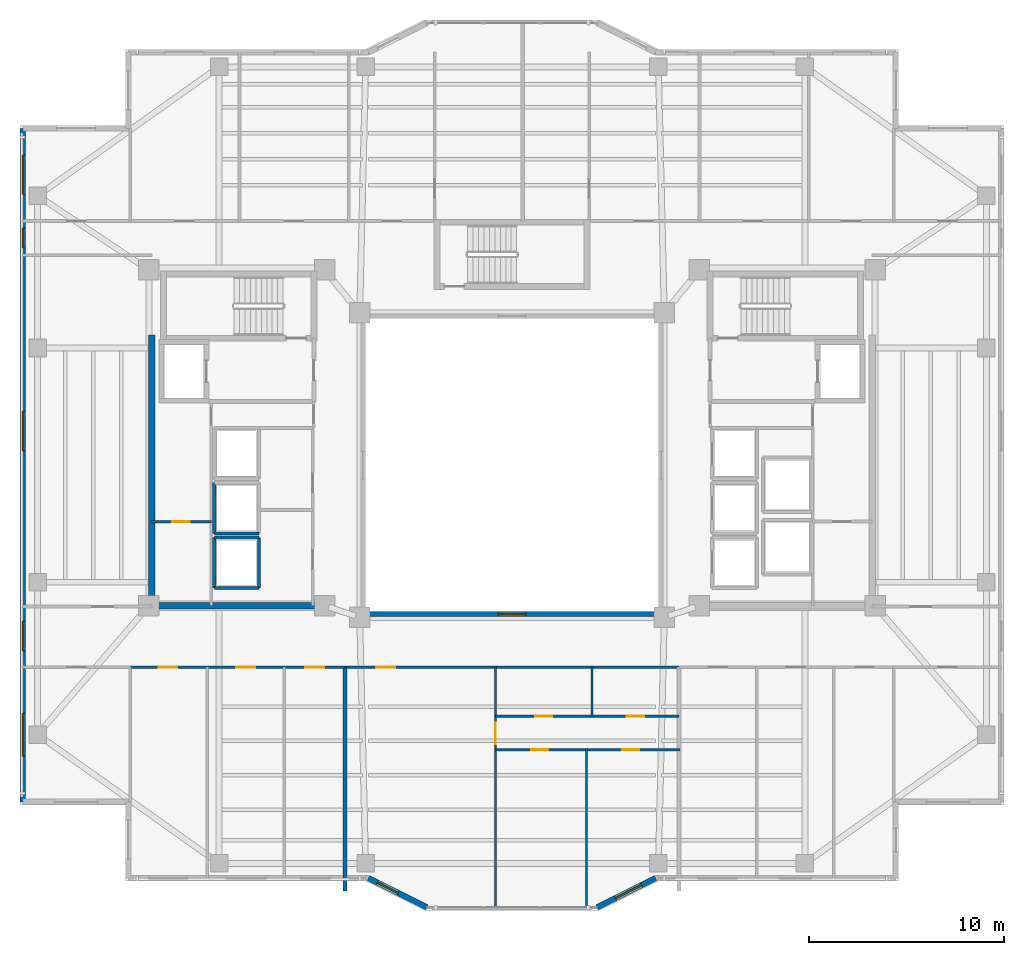
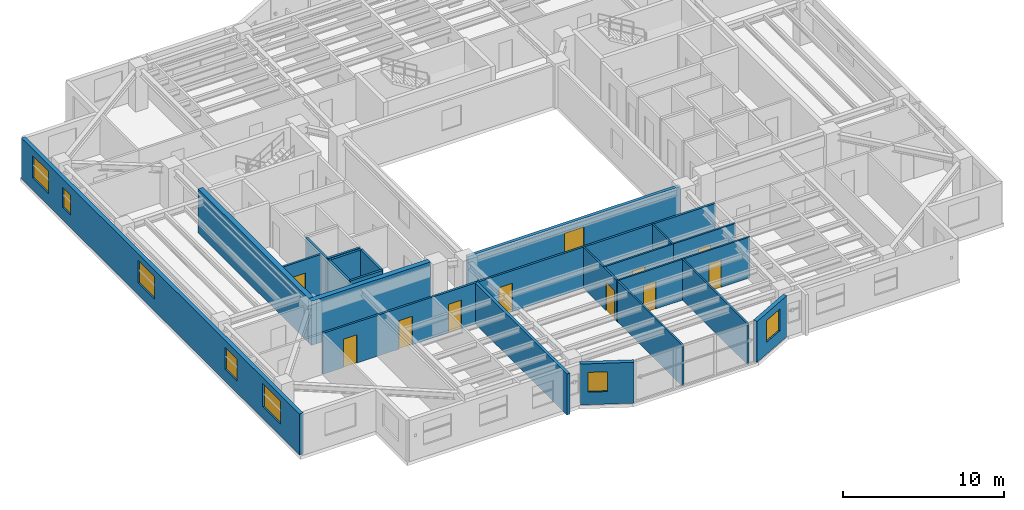
# One storey, part 6 of 15: 22 walls, 10 doors, 8 windows, 18 openings.
"""IFC4 building model written with IfcOpenShell, lengths in metres."""

from ifc_helpers import new_model, si_unit, direction, frame, frame_2d, origin, place, context, subcontext, project, spatial, rectangle, extrude, material, layer, layer_set, type_object, element, fill, save


model = new_model("IFC4")

# Units and contexts
model_context = context("Model", 3, precision=1e-05, world=origin(), true_north=direction((0.0, 1.0)))
body_context = subcontext(model_context, "Body", "Model", "MODEL_VIEW")
ifc_project = project(units=[si_unit("LENGTHUNIT", "METRE"), si_unit("AREAUNIT", "SQUARE_METRE"), si_unit("VOLUMEUNIT", "CUBIC_METRE"), si_unit("PLANEANGLEUNIT", "RADIAN"), si_unit("MASSUNIT", "GRAM", prefix="KILO")], contexts=[model_context])

# Site, building, storey
site_placement = place(None, origin())
site = spatial("IfcSite", under=ifc_project, at=site_placement, CompositionType="ELEMENT")
building_placement = place(site_placement, origin())
building = spatial("IfcBuilding", under=site, at=building_placement, Name="Tarnavaz Court Tower", CompositionType="ELEMENT")
storey_placement = place(building_placement, frame((0.0, 0.0, 139.300048828125)))
storey = spatial("IfcBuildingStorey", under=building, at=storey_placement, Name="L37", CompositionType="ELEMENT", Elevation=139.300048828125)

# Walls
ifc_material_1 = material(Name="Concrete C50/60", Category="concrete")
ifc_layer_1 = layer(ifc_material_1, 0.35009765625)
ifc_layer_set_1 = layer_set([ifc_layer_1], Name="Concrete C50/60")
wall_type_1 = type_object("IfcWallType", Name="WL-CORE-350-C50", PredefinedType="SHEAR", material=ifc_layer_set_1)
wall_1_placement = place(storey_placement, frame((-18.449951171875, -7.375, 0.0), z_axis=(0.0, 0.0, 1.0), x_axis=(0.0, 1.0, 0.0)))
element("IfcWall", 1, at=wall_1_placement, inside=storey, type_object=wall_type_1, Name="L37 West Core Shear Wall 057", PredefinedType="SHEAR", context=body_context, shape_type="SweptSolid", body=[
    extrude(rectangle(XDim=14.050048828125, YDim=0.35009765625, at=frame_2d((7.02490234375, 0.0))), origin(), (0.0, 0.0, 1.0), 3.349853515625),
])
wall_2_placement = place(storey_placement, frame((-18.625, -7.199951171875, 0.0), z_axis=(0.0, 0.0, 1.0), x_axis=(1.0, 0.0, 0.0)))
element("IfcWall", 2, at=wall_2_placement, inside=storey, type_object=wall_type_1, Name="L37 West Core South Shear Wall 058", PredefinedType="SHEAR", context=body_context, shape_type="SweptSolid", body=[
    extrude(rectangle(XDim=8.550048828125, YDim=0.35009765625, at=frame_2d((4.27490234375, 0.0))), origin(), (0.0, 0.0, 1.0), 3.349853515625),
])

# Wall, openings, windows
ifc_material_2 = material(Name="Precast Concrete C40/50", Category="concrete")
ifc_layer_2 = layer(ifc_material_2, 0.280029296875)
ifc_layer_set_2 = layer_set([ifc_layer_2], Name="Precast Concrete C40/50")
wall_type_2 = type_object("IfcWallType", Name="WL-EXT-280", PredefinedType="SOLIDWALL", material=ifc_layer_set_2)
wall_3_placement = place(storey_placement, frame((-25.050048828125, -17.25, 0.0), z_axis=(0.0, 0.0, 1.0), x_axis=(0.0, 1.0, 0.0)))
wall_3 = element("IfcWall", 3, at=wall_3_placement, inside=storey, type_object=wall_type_2, Name="L37 Exterior Terracotta Facade Wall 02", PredefinedType="SOLIDWALL", context=body_context, shape_type="SweptSolid", body=[
    extrude(rectangle(XDim=34.5, YDim=0.280029296875, at=frame_2d((17.25, 0.0))), origin(), (0.0, 0.0, 1.0), 3.099853515625),
])
opening_1_placement = place(wall_3_placement, frame((2.35009765625, 0.0, 0.89990234375)))
opening_1 = element("IfcOpeningElement", 4, at=opening_1_placement, cuts=wall_3, Name="Opening W07", PredefinedType="OPENING", context=body_context, shape_type="SweptSolid", body=[
    extrude(rectangle(XDim=2.199951171875, YDim=1.75, at=frame_2d((1.10009765625, 0.875))), frame((0.0, 0.14990234375, 0.0), z_axis=(0.0, -1.0, 0.0), x_axis=(1.0, 0.0, 0.0)), (0.0, 0.0, 1.0), 0.300048828125),
])
opening_2_placement = place(wall_3_placement, frame((7.742431640625, 0.0, 0.89990234375)))
opening_2 = element("IfcOpeningElement", 5, at=opening_2_placement, cuts=wall_3, Name="Opening W03", PredefinedType="OPENING", context=body_context, shape_type="SweptSolid", body=[
    extrude(rectangle(XDim=1.5, YDim=1.64990234375, at=frame_2d((0.75, 0.824951171875))), frame((0.0, 0.14990234375, 0.0), z_axis=(0.0, -1.0, 0.0), x_axis=(1.0, 0.0, 0.0)), (0.0, 0.0, 1.0), 0.300048828125),
])
opening_3_placement = place(wall_3_placement, frame((18.0, 0.0, 0.89990234375)))
opening_3 = element("IfcOpeningElement", 6, at=opening_3_placement, cuts=wall_3, Name="Opening W08", PredefinedType="OPENING", context=body_context, shape_type="SweptSolid", body=[
    extrude(rectangle(XDim=2.0, YDim=1.699951171875, at=frame_2d((1.0, 0.85009765625))), frame((0.0, 0.14990234375, 0.0), z_axis=(0.0, -1.0, 0.0), x_axis=(1.0, 0.0, 0.0)), (0.0, 0.0, 1.0), 0.300048828125),
])
opening_4_placement = place(wall_3_placement, frame((28.375, 0.0, 0.949951171875)))
opening_4 = element("IfcOpeningElement", 7, at=opening_4_placement, cuts=wall_3, Name="Opening W14", PredefinedType="OPENING", context=body_context, shape_type="SweptSolid", body=[
    extrude(rectangle(XDim=1.0, YDim=1.5, at=frame_2d((0.5, 0.75))), frame((0.0, 0.14990234375, 0.0), z_axis=(0.0, -1.0, 0.0), x_axis=(1.0, 0.0, 0.0)), (0.0, 0.0, 1.0), 0.300048828125),
])
opening_5_placement = place(wall_3_placement, frame((31.125, 0.0, 0.89990234375)))
opening_5 = element("IfcOpeningElement", 8, at=opening_5_placement, cuts=wall_3, Name="Opening W08", PredefinedType="OPENING", context=body_context, shape_type="SweptSolid", body=[
    extrude(rectangle(XDim=2.0, YDim=1.699951171875, at=frame_2d((1.0, 0.85009765625))), frame((0.0, 0.14990234375, 0.0), z_axis=(0.0, -1.0, 0.0), x_axis=(1.0, 0.0, 0.0)), (0.0, 0.0, 1.0), 0.300048828125),
])
ifc_material_3 = material(Name="Double-Glazed Solar Low-E Glass", Category="glass")
window_type_1 = type_object("IfcWindowType", Name="WN-APT-1000", PartitioningType="SINGLE_PANEL", PredefinedType="WINDOW", material=ifc_material_3)
window_1_placement = place(opening_4_placement, origin())
window_1 = element("IfcWindow", 9, at=window_1_placement, inside=storey, type_object=window_type_1, Name="L37 North-West Corner Corridor Window", OverallHeight=1.5, OverallWidth=1.0, PartitioningType="SINGLE_PANEL", PredefinedType="WINDOW", context=body_context, shape_type="SweptSolid", body=[
    extrude(rectangle(XDim=1.0, YDim=1.5, at=frame_2d((0.5, 0.75))), frame((0.0, 0.030029296875, 0.0), z_axis=(0.0, -1.0, 0.0), x_axis=(1.0, 0.0, 0.0)), (0.0, 0.0, 1.0), 0.06005859375),
])
fill(opening_4, window_1)
window_type_2 = type_object("IfcWindowType", Name="WN-APT-1500", PartitioningType="DOUBLE_PANEL_VERTICAL", PredefinedType="WINDOW", material=ifc_material_3)
window_2_placement = place(opening_2_placement, origin())
window_2 = element("IfcWindow", 10, at=window_2_placement, inside=storey, type_object=window_type_2, Name="L37 South-West Corner Corridor Window", OverallHeight=1.64990234375, OverallWidth=1.5, PartitioningType="SINGLE_PANEL", PredefinedType="WINDOW", context=body_context, shape_type="SweptSolid", body=[
    extrude(rectangle(XDim=1.5, YDim=1.64990234375, at=frame_2d((0.75, 0.824951171875))), frame((0.0, 0.030029296875, 0.0), z_axis=(0.0, -1.0, 0.0), x_axis=(1.0, 0.0, 0.0)), (0.0, 0.0, 1.0), 0.06005859375),
])
fill(opening_2, window_2)
window_type_3 = type_object("IfcWindowType", Name="WN-APT-2000", PartitioningType="DOUBLE_PANEL_VERTICAL", PredefinedType="WINDOW", material=ifc_material_3)
window_3_placement = place(opening_3_placement, origin())
window_3 = element("IfcWindow", 11, at=window_3_placement, inside=storey, type_object=window_type_3, Name="L37 West Wing Panoramic Study Gallery Window", OverallHeight=1.699951171875, OverallWidth=2.0, PartitioningType="SINGLE_PANEL", PredefinedType="WINDOW", context=body_context, shape_type="SweptSolid", body=[
    extrude(rectangle(XDim=2.0, YDim=1.699951171875, at=frame_2d((1.0, 0.85009765625))), frame((0.0, 0.030029296875, 0.0), z_axis=(0.0, -1.0, 0.0), x_axis=(1.0, 0.0, 0.0)), (0.0, 0.0, 1.0), 0.06005859375),
])
fill(opening_3, window_3)
window_4_placement = place(opening_5_placement, origin())
window_4 = element("IfcWindow", 12, at=window_4_placement, inside=storey, type_object=window_type_3, Name="L37 North-West Corner Sunroom Study Window", OverallHeight=1.699951171875, OverallWidth=2.0, PartitioningType="SINGLE_PANEL", PredefinedType="WINDOW", context=body_context, shape_type="SweptSolid", body=[
    extrude(rectangle(XDim=2.0, YDim=1.699951171875, at=frame_2d((1.0, 0.85009765625))), frame((0.0, 0.030029296875, 0.0), z_axis=(0.0, -1.0, 0.0), x_axis=(1.0, 0.0, 0.0)), (0.0, 0.0, 1.0), 0.06005859375),
])
fill(opening_5, window_4)
window_type_4 = type_object("IfcWindowType", Name="WN-APT-2200", PartitioningType="TRIPLE_PANEL_VERTICAL", PredefinedType="WINDOW", material=ifc_material_3)
window_5_placement = place(opening_1_placement, origin())
window_5 = element("IfcWindow", 13, at=window_5_placement, inside=storey, type_object=window_type_4, Name="L37 South-West Corner Reading Room Window", OverallHeight=1.75, OverallWidth=2.199951171875, PartitioningType="SINGLE_PANEL", PredefinedType="WINDOW", context=body_context, shape_type="SweptSolid", body=[
    extrude(rectangle(XDim=2.199951171875, YDim=1.75, at=frame_2d((1.10009765625, 0.875))), frame((0.0, 0.030029296875, 0.0), z_axis=(0.0, -1.0, 0.0), x_axis=(1.0, 0.0, 0.0)), (0.0, 0.0, 1.0), 0.06005859375),
])
fill(opening_1, window_5)

# Wall, opening, window
wall_4_placement = place(storey_placement, frame((7.35009765625, -21.14990234375, 0.0), z_axis=(0.0, 0.0, 1.0), x_axis=(-0.894427191, -0.4472135955, 0.0)))
wall_4 = element("IfcWall", 14, at=wall_4_placement, inside=storey, type_object=wall_type_2, Name="L37 Exterior Terracotta Facade Wall 16", PredefinedType="SOLIDWALL", context=body_context, shape_type="SweptSolid", body=[
    extrude(rectangle(XDim=3.35400390625, YDim=0.280029296875, at=frame_2d((1.677001953125, 0.0))), origin(), (0.0, 0.0, 1.0), 3.099853515625),
])
opening_6_placement = place(wall_4_placement, frame((0.796875, 0.0, 0.89990234375)))
opening_6 = element("IfcOpeningElement", 15, at=opening_6_placement, cuts=wall_4, Name="Opening W03", PredefinedType="OPENING", context=body_context, shape_type="SweptSolid", body=[
    extrude(rectangle(XDim=1.5, YDim=1.64990234375, at=frame_2d((0.75, 0.824951171875))), frame((0.0, 0.14990234375, 0.0), z_axis=(0.0, -1.0, 0.0), x_axis=(1.0, 0.0, 0.0)), (0.0, 0.0, 1.0), 0.300048828125),
])
window_6_placement = place(opening_6_placement, origin())
window_6 = element("IfcWindow", 16, at=window_6_placement, inside=storey, type_object=window_type_2, Name="L37 Flat 01 Bedroom 2 Window", OverallHeight=1.64990234375, OverallWidth=1.5, PartitioningType="SINGLE_PANEL", PredefinedType="WINDOW", context=body_context, shape_type="SweptSolid", body=[
    extrude(rectangle(XDim=1.5, YDim=1.64990234375, at=frame_2d((0.75, 0.824951171875))), frame((0.0, 0.030029296875, 0.0), z_axis=(0.0, -1.0, 0.0), x_axis=(1.0, 0.0, 0.0)), (0.0, 0.0, 1.0), 0.06005859375),
])
fill(opening_6, window_6)

wall_5_placement = place(storey_placement, frame((-4.35009765625, -22.64990234375, 0.0), z_axis=(0.0, 0.0, 1.0), x_axis=(-0.894427191, 0.4472135955, 0.0)))
wall_5 = element("IfcWall", 17, at=wall_5_placement, inside=storey, type_object=wall_type_2, Name="L37 Exterior Terracotta Facade Wall 18", PredefinedType="SOLIDWALL", context=body_context, shape_type="SweptSolid", body=[
    extrude(rectangle(XDim=3.35400390625, YDim=0.280029296875, at=frame_2d((1.677001953125, 0.0))), origin(), (0.0, 0.0, 1.0), 3.099853515625),
])
opening_7_placement = place(wall_5_placement, frame((1.65283203125, 0.0, 0.949951171875)))
opening_7 = element("IfcOpeningElement", 18, at=opening_7_placement, cuts=wall_5, Name="Opening W05", PredefinedType="OPENING", context=body_context, shape_type="SweptSolid", body=[
    extrude(rectangle(XDim=1.199951171875, YDim=1.5, at=frame_2d((0.60009765625, 0.75))), frame((0.0, 0.14990234375, 0.0), z_axis=(0.0, -1.0, 0.0), x_axis=(1.0, 0.0, 0.0)), (0.0, 0.0, 1.0), 0.300048828125),
])
window_type_5 = type_object("IfcWindowType", Name="WN-APT-1200", PartitioningType="SINGLE_PANEL", PredefinedType="WINDOW", material=ifc_material_3)
window_7_placement = place(opening_7_placement, origin())
window_7 = element("IfcWindow", 19, at=window_7_placement, inside=storey, type_object=window_type_5, Name="L37 Flat 01 Living and Dining Room Window", OverallHeight=1.5, OverallWidth=1.199951171875, PartitioningType="SINGLE_PANEL", PredefinedType="WINDOW", context=body_context, shape_type="SweptSolid", body=[
    extrude(rectangle(XDim=1.199951171875, YDim=1.5, at=frame_2d((0.60009765625, 0.75))), frame((0.0, 0.030029296875, 0.0), z_axis=(0.0, -1.0, 0.0), x_axis=(1.0, 0.0, 0.0)), (0.0, 0.0, 1.0), 0.06005859375),
])
fill(opening_7, window_7)

# Wall, openings, doors
ifc_material_4 = material(Name="Gypsum Fire-Board on Acoustic Metal Stud", Category="masonry")
ifc_layer_3 = layer(ifc_material_4, 0.14990234375)
ifc_layer_set_3 = layer_set([ifc_layer_3], Name="Gypsum Fire-Board on Acoustic Metal Stud")
wall_type_3 = type_object("IfcWallType", Name="WL-FIRE-150", PredefinedType="PARTITIONING", material=ifc_layer_set_3)
wall_6_placement = place(storey_placement, frame((-19.550048828125, -10.35009765625, 0.0), z_axis=(0.0, 0.0, 1.0), x_axis=(1.0, 0.0, 0.0)))
wall_6 = element("IfcWall", 20, at=wall_6_placement, inside=storey, type_object=wall_type_3, Name="L37 SW Horseshoe Wall 073", PredefinedType="PARTITIONING", context=body_context, shape_type="SweptSolid", body=[
    extrude(rectangle(XDim=11.0, YDim=0.14990234375, at=frame_2d((5.5, 0.0))), origin(), (0.0, 0.0, 1.0), 3.099853515625),
])
opening_8_placement = place(wall_6_placement, frame((1.466064453125, 0.0, 0.0)))
opening_8 = element("IfcOpeningElement", 21, at=opening_8_placement, cuts=wall_6, Name="Opening D13", PredefinedType="OPENING", context=body_context, shape_type="SweptSolid", body=[
    extrude(rectangle(XDim=0.949951171875, YDim=2.14990234375, at=frame_2d((0.47509765625, 1.074951171875))), frame((0.0, 0.0849609375, 0.0), z_axis=(0.0, -1.0, 0.0), x_axis=(1.0, 0.0, 0.0)), (0.0, 0.0, 1.0), 0.169921875),
])
opening_9_placement = place(wall_6_placement, frame((5.43798828125, 0.0, 0.0)))
opening_9 = element("IfcOpeningElement", 22, at=opening_9_placement, cuts=wall_6, Name="Opening D13", PredefinedType="OPENING", context=body_context, shape_type="SweptSolid", body=[
    extrude(rectangle(XDim=0.949951171875, YDim=2.14990234375, at=frame_2d((0.47509765625, 1.074951171875))), frame((0.0, 0.0849609375, 0.0), z_axis=(0.0, -1.0, 0.0), x_axis=(1.0, 0.0, 0.0)), (0.0, 0.0, 1.0), 0.169921875),
])
opening_10_placement = place(wall_6_placement, frame((8.971923828125, 0.0, 0.0)))
opening_10 = element("IfcOpeningElement", 23, at=opening_10_placement, cuts=wall_6, Name="Opening D13", PredefinedType="OPENING", context=body_context, shape_type="SweptSolid", body=[
    extrude(rectangle(XDim=0.949951171875, YDim=2.14990234375, at=frame_2d((0.47509765625, 1.074951171875))), frame((0.0, 0.0849609375, 0.0), z_axis=(0.0, -1.0, 0.0), x_axis=(1.0, 0.0, 0.0)), (0.0, 0.0, 1.0), 0.169921875),
])
ifc_material_5 = material(Name="Engineered Oak Timber", Category="wood")
door_type_1 = type_object("IfcDoorType", Name="DR-INT-950", OperationType="NOTDEFINED", PredefinedType="DOOR", material=ifc_material_5)
door_1_placement = place(opening_8_placement, origin())
door_1 = element("IfcDoor", 24, at=door_1_placement, inside=storey, type_object=door_type_1, Name="L37 Resident Fitness and Yoga Studio Door", OperationType="SINGLE_SWING_LEFT", OverallHeight=2.14990234375, OverallWidth=0.949951171875, PredefinedType="DOOR", context=body_context, shape_type="SweptSolid", body=[
    extrude(rectangle(XDim=0.949951171875, YDim=2.14990234375, at=frame_2d((0.47509765625, 1.074951171875))), frame((0.0, 0.02490234375, 0.0), z_axis=(0.0, -1.0, 0.0), x_axis=(1.0, 0.0, 0.0)), (0.0, 0.0, 1.0), 0.050048828125),
])
fill(opening_8, door_1)
door_2_placement = place(opening_9_placement, origin())
door_2 = element("IfcDoor", 25, at=door_2_placement, inside=storey, type_object=door_type_1, Name="L37 Children Playroom and Daycare Door", OperationType="SINGLE_SWING_RIGHT", OverallHeight=2.14990234375, OverallWidth=0.949951171875, PredefinedType="DOOR", context=body_context, shape_type="SweptSolid", body=[
    extrude(rectangle(XDim=0.949951171875, YDim=2.14990234375, at=frame_2d((0.47509765625, 1.074951171875))), frame((0.0, 0.02490234375, 0.0), z_axis=(0.0, -1.0, 0.0), x_axis=(1.0, 0.0, 0.0)), (0.0, 0.0, 1.0), 0.050048828125),
])
fill(opening_9, door_2)
door_3_placement = place(opening_10_placement, origin())
door_3 = element("IfcDoor", 26, at=door_3_placement, inside=storey, type_object=door_type_1, Name="L37 Shared Community Tea Pantry Door", OperationType="SINGLE_SWING_LEFT", OverallHeight=2.14990234375, OverallWidth=0.949951171875, PredefinedType="DOOR", context=body_context, shape_type="SweptSolid", body=[
    extrude(rectangle(XDim=0.949951171875, YDim=2.14990234375, at=frame_2d((0.47509765625, 1.074951171875))), frame((0.0, 0.02490234375, 0.0), z_axis=(0.0, -1.0, 0.0), x_axis=(1.0, 0.0, 0.0)), (0.0, 0.0, 1.0), 0.050048828125),
])
fill(opening_10, door_3)

# Wall, opening, door
wall_7_placement = place(storey_placement, frame((-8.550048828125, -10.35009765625, 0.0), z_axis=(0.0, 0.0, 1.0), x_axis=(1.0, 0.0, 0.0)))
wall_7 = element("IfcWall", 27, at=wall_7_placement, inside=storey, type_object=wall_type_3, Name="L37 Interior Partition 088", PredefinedType="PARTITIONING", context=body_context, shape_type="SweptSolid", body=[
    extrude(rectangle(XDim=17.10009765625, YDim=0.14990234375, at=frame_2d((8.550048828125, 0.0))), origin(), (0.0, 0.0, 1.0), 3.099853515625),
])
opening_11_placement = place(wall_7_placement, frame((1.60009765625, 0.0, 0.0)))
opening_11 = element("IfcOpeningElement", 28, at=opening_11_placement, cuts=wall_7, Name="Opening D06", PredefinedType="OPENING", context=body_context, shape_type="SweptSolid", body=[
    extrude(rectangle(XDim=0.9599609375, YDim=2.14990234375, at=frame_2d((0.47998046875, 1.074951171875))), frame((0.0, 0.0849609375, 0.0), z_axis=(0.0, -1.0, 0.0), x_axis=(1.0, 0.0, 0.0)), (0.0, 0.0, 1.0), 0.169921875),
])
ifc_material_6 = material(Name="Fire-Rated Hardwood Timber Core", Category="wood")
door_type_2 = type_object("IfcDoorType", Name="DR-FD60-950", OperationType="NOTDEFINED", PredefinedType="DOOR", material=ifc_material_6)
door_4_placement = place(opening_11_placement, origin())
door_4 = element("IfcDoor", 29, at=door_4_placement, inside=storey, type_object=door_type_2, Name="L37 Flat 01 Entrance Door", OperationType="SINGLE_SWING_LEFT", OverallHeight=2.14990234375, OverallWidth=0.9599609375, PredefinedType="DOOR", context=body_context, shape_type="SweptSolid", body=[
    extrude(rectangle(XDim=0.9599609375, YDim=2.14990234375, at=frame_2d((0.47998046875, 1.074951171875))), frame((0.0, 0.02490234375, 0.0), z_axis=(0.0, -1.0, 0.0), x_axis=(1.0, 0.0, 0.0)), (0.0, 0.0, 1.0), 0.050048828125),
])
fill(opening_11, door_4)

# Wall
ifc_material_7 = material(Name="Autoclaved Aerated Concrete Blockwork", Category="masonry")
ifc_layer_4 = layer(ifc_material_7, 0.199951171875)
ifc_layer_set_4 = layer_set([ifc_layer_4], Name="Autoclaved Aerated Concrete Blockwork")
wall_type_4 = type_object("IfcWallType", Name="WL-FIRE-200", PredefinedType="SOLIDWALL", material=ifc_layer_set_4)
wall_8_placement = place(storey_placement, frame((-8.550048828125, -21.803955078125, 0.0), z_axis=(0.0, 0.0, 1.0), x_axis=(0.0, 1.0, 0.0)))
element("IfcWall", 30, at=wall_8_placement, inside=storey, type_object=wall_type_4, Name="L37 Party Wall 086", PredefinedType="SOLIDWALL", context=body_context, shape_type="SweptSolid", body=[
    extrude(rectangle(XDim=11.453857421875, YDim=0.199951171875, at=frame_2d((5.72705078125, 0.0))), origin(), (0.0, 0.0, 1.0), 3.099853515625),
])

# Wall, opening, door
ifc_material_8 = material(Name="Moisture-Resistant Gypsum Board Partition", Category="masonry")
ifc_layer_5 = layer(ifc_material_8, 0.1201171875)
ifc_layer_set_5 = layer_set([ifc_layer_5], Name="Moisture-Resistant Gypsum Board Partition")
wall_type_5 = type_object("IfcWallType", Name="WL-PART-120", PredefinedType="PARTITIONING", material=ifc_layer_set_5)
wall_9_placement = place(storey_placement, frame((-0.844970703125, -22.679931640625, 0.0), z_axis=(0.0, 0.0, 1.0), x_axis=(0.0, 1.0, 0.0)))
wall_9 = element("IfcWall", 31, at=wall_9_placement, inside=storey, type_object=wall_type_5, Name="L37 Interior Partition 089", PredefinedType="PARTITIONING", context=body_context, shape_type="SweptSolid", body=[
    extrude(rectangle(XDim=12.389892578125, YDim=0.1201171875, at=frame_2d((6.19482421875, 0.0))), origin(), (0.0, 0.0, 1.0), 3.099853515625),
])
opening_12_placement = place(wall_9_placement, frame((8.39501953125, 0.0, 0.0)))
opening_12 = element("IfcOpeningElement", 32, at=opening_12_placement, cuts=wall_9, Name="Opening D12", PredefinedType="OPENING", context=body_context, shape_type="SweptSolid", body=[
    extrude(rectangle(XDim=1.080078125, YDim=2.14990234375, at=frame_2d((0.5400390625, 1.074951171875))), frame((0.0, 0.070068359375, 0.0), z_axis=(0.0, -1.0, 0.0), x_axis=(1.0, 0.0, 0.0)), (0.0, 0.0, 1.0), 0.14013671875),
])
door_type_3 = type_object("IfcDoorType", Name="DR-INT-1100", OperationType="NOTDEFINED", PredefinedType="DOOR", material=ifc_material_5)
door_5_placement = place(opening_12_placement, origin())
door_5 = element("IfcDoor", 33, at=door_5_placement, inside=storey, type_object=door_type_3, Name="L37 Flat 01 Foyer Door", OperationType="SINGLE_SWING_RIGHT", OverallHeight=2.14990234375, OverallWidth=1.080078125, PredefinedType="DOOR", context=body_context, shape_type="SweptSolid", body=[
    extrude(rectangle(XDim=1.080078125, YDim=2.14990234375, at=frame_2d((0.5400390625, 1.074951171875))), frame((0.0, 0.02490234375, 0.0), z_axis=(0.0, -1.0, 0.0), x_axis=(1.0, 0.0, 0.0)), (0.0, 0.0, 1.0), 0.050048828125),
])
fill(opening_12, door_5)

wall_10_placement = place(storey_placement, frame((-0.844970703125, -12.860107421875, 0.0), z_axis=(0.0, 0.0, 1.0), x_axis=(1.0, 0.0, 0.0)))
wall_10 = element("IfcWall", 34, at=wall_10_placement, inside=storey, type_object=wall_type_5, Name="L37 Interior Partition 090", PredefinedType="PARTITIONING", context=body_context, shape_type="SweptSolid", body=[
    extrude(rectangle(XDim=4.94189453125, YDim=0.1201171875, at=frame_2d((2.470947265625, 0.0))), origin(), (0.0, 0.0, 1.0), 3.099853515625),
])
opening_13_placement = place(wall_10_placement, frame((2.031005859375, 0.0, 0.0)))
opening_13 = element("IfcOpeningElement", 35, at=opening_13_placement, cuts=wall_10, Name="Opening D14", PredefinedType="OPENING", context=body_context, shape_type="SweptSolid", body=[
    extrude(rectangle(XDim=0.8798828125, YDim=2.10009765625, at=frame_2d((0.43994140625, 1.050048828125))), frame((0.0, 0.070068359375, 0.0), z_axis=(0.0, -1.0, 0.0), x_axis=(1.0, 0.0, 0.0)), (0.0, 0.0, 1.0), 0.14013671875),
])
door_type_4 = type_object("IfcDoorType", Name="DR-INT-900", OperationType="NOTDEFINED", PredefinedType="DOOR", material=ifc_material_5)
door_6_placement = place(opening_13_placement, origin())
door_6 = element("IfcDoor", 36, at=door_6_placement, inside=storey, type_object=door_type_4, Name="L37 Flat 01 Kitchen Door", OperationType="SINGLE_SWING_LEFT", OverallHeight=2.10009765625, OverallWidth=0.8798828125, PredefinedType="DOOR", context=body_context, shape_type="SweptSolid", body=[
    extrude(rectangle(XDim=0.8798828125, YDim=2.10009765625, at=frame_2d((0.43994140625, 1.050048828125))), frame((0.0, 0.02490234375, 0.0), z_axis=(0.0, -1.0, 0.0), x_axis=(1.0, 0.0, 0.0)), (0.0, 0.0, 1.0), 0.050048828125),
])
fill(opening_13, door_6)

wall_11_placement = place(storey_placement, frame((4.096923828125, -12.860107421875, 0.0), z_axis=(0.0, 0.0, 1.0), x_axis=(1.0, 0.0, 0.0)))
wall_11 = element("IfcWall", 37, at=wall_11_placement, inside=storey, type_object=wall_type_5, Name="L37 Interior Partition 091", PredefinedType="PARTITIONING", context=body_context, shape_type="SweptSolid", body=[
    extrude(rectangle(XDim=4.453125, YDim=0.1201171875, at=frame_2d((2.2265625, 0.0))), origin(), (0.0, 0.0, 1.0), 3.099853515625),
])
opening_14_placement = place(wall_11_placement, frame((1.787109375, 0.0, 0.0)))
opening_14 = element("IfcOpeningElement", 38, at=opening_14_placement, cuts=wall_11, Name="Opening D14", PredefinedType="OPENING", context=body_context, shape_type="SweptSolid", body=[
    extrude(rectangle(XDim=0.8798828125, YDim=2.10009765625, at=frame_2d((0.43994140625, 1.050048828125))), frame((0.0, 0.070068359375, 0.0), z_axis=(0.0, -1.0, 0.0), x_axis=(1.0, 0.0, 0.0)), (0.0, 0.0, 1.0), 0.14013671875),
])
door_7_placement = place(opening_14_placement, origin())
door_7 = element("IfcDoor", 39, at=door_7_placement, inside=storey, type_object=door_type_4, Name="L37 Flat 01 Bathroom Door", OperationType="SINGLE_SWING_RIGHT", OverallHeight=2.10009765625, OverallWidth=0.8798828125, PredefinedType="DOOR", context=body_context, shape_type="SweptSolid", body=[
    extrude(rectangle(XDim=0.8798828125, YDim=2.10009765625, at=frame_2d((0.43994140625, 1.050048828125))), frame((0.0, 0.02490234375, 0.0), z_axis=(0.0, -1.0, 0.0), x_axis=(1.0, 0.0, 0.0)), (0.0, 0.0, 1.0), 0.050048828125),
])
fill(opening_14, door_7)

# Wall, openings, doors
wall_12_placement = place(storey_placement, frame((-0.905029296875, -14.570068359375, 0.0), z_axis=(0.0, 0.0, 1.0), x_axis=(1.0, 0.0, 0.0)))
wall_12 = element("IfcWall", 40, at=wall_12_placement, inside=storey, type_object=wall_type_5, Name="L37 Interior Partition 092", PredefinedType="PARTITIONING", context=body_context, shape_type="SweptSolid", body=[
    extrude(rectangle(XDim=9.51513671875, YDim=0.1201171875, at=frame_2d((4.757568359375, 0.0))), origin(), (0.0, 0.0, 1.0), 3.099853515625),
])
opening_15_placement = place(wall_12_placement, frame((1.89111328125, 0.0, 0.0)))
opening_15 = element("IfcOpeningElement", 41, at=opening_15_placement, cuts=wall_12, Name="Opening D14", PredefinedType="OPENING", context=body_context, shape_type="SweptSolid", body=[
    extrude(rectangle(XDim=0.8798828125, YDim=2.10009765625, at=frame_2d((0.43994140625, 1.050048828125))), frame((0.0, 0.070068359375, 0.0), z_axis=(0.0, -1.0, 0.0), x_axis=(1.0, 0.0, 0.0)), (0.0, 0.0, 1.0), 0.14013671875),
])
opening_16_placement = place(wall_12_placement, frame((6.553955078125, 0.0, 0.0)))
opening_16 = element("IfcOpeningElement", 42, at=opening_16_placement, cuts=wall_12, Name="Opening D14", PredefinedType="OPENING", context=body_context, shape_type="SweptSolid", body=[
    extrude(rectangle(XDim=0.8798828125, YDim=2.10009765625, at=frame_2d((0.43994140625, 1.050048828125))), frame((0.0, 0.070068359375, 0.0), z_axis=(0.0, -1.0, 0.0), x_axis=(1.0, 0.0, 0.0)), (0.0, 0.0, 1.0), 0.14013671875),
])
door_8_placement = place(opening_15_placement, origin())
door_8 = element("IfcDoor", 43, at=door_8_placement, inside=storey, type_object=door_type_4, Name="L37 Flat 01 Bedroom 1 Door", OperationType="SINGLE_SWING_LEFT", OverallHeight=2.10009765625, OverallWidth=0.8798828125, PredefinedType="DOOR", context=body_context, shape_type="SweptSolid", body=[
    extrude(rectangle(XDim=0.8798828125, YDim=2.10009765625, at=frame_2d((0.43994140625, 1.050048828125))), frame((0.0, 0.02490234375, 0.0), z_axis=(0.0, -1.0, 0.0), x_axis=(1.0, 0.0, 0.0)), (0.0, 0.0, 1.0), 0.050048828125),
])
fill(opening_15, door_8)
door_9_placement = place(opening_16_placement, origin())
door_9 = element("IfcDoor", 44, at=door_9_placement, inside=storey, type_object=door_type_4, Name="L37 Flat 01 Bedroom 2 Door", OperationType="SINGLE_SWING_RIGHT", OverallHeight=2.10009765625, OverallWidth=0.8798828125, PredefinedType="DOOR", context=body_context, shape_type="SweptSolid", body=[
    extrude(rectangle(XDim=0.8798828125, YDim=2.10009765625, at=frame_2d((0.43994140625, 1.050048828125))), frame((0.0, 0.02490234375, 0.0), z_axis=(0.0, -1.0, 0.0), x_axis=(1.0, 0.0, 0.0)), (0.0, 0.0, 1.0), 0.050048828125),
])
fill(opening_16, door_9)

# Walls
wall_13_placement = place(storey_placement, frame((4.096923828125, -12.919921875, 0.0), z_axis=(0.0, 0.0, 1.0), x_axis=(0.0, 1.0, 0.0)))
element("IfcWall", 45, at=wall_13_placement, inside=storey, type_object=wall_type_5, Name="L37 Interior Partition 093", PredefinedType="PARTITIONING", context=body_context, shape_type="SweptSolid", body=[
    extrude(rectangle(XDim=2.6298828125, YDim=0.1201171875, at=frame_2d((1.31494140625, 0.0))), origin(), (0.0, 0.0, 1.0), 3.099853515625),
])
wall_14_placement = place(storey_placement, frame((3.818115234375, -22.679931640625, 0.0), z_axis=(0.0, 0.0, 1.0), x_axis=(0.0, 1.0, 0.0)))
element("IfcWall", 46, at=wall_14_placement, inside=storey, type_object=wall_type_5, Name="L37 Interior Partition 094", PredefinedType="PARTITIONING", context=body_context, shape_type="SweptSolid", body=[
    extrude(rectangle(XDim=8.169921875, YDim=0.1201171875, at=frame_2d((4.0849609375, 0.0))), origin(), (0.0, 0.0, 1.0), 3.099853515625),
])

# Wall, opening, door
ifc_material_9 = material(Name="Gypsum Plasterboard Acoustic Partition", Category="masonry")
ifc_layer_6 = layer(ifc_material_9, 0.139892578125)
ifc_layer_set_6 = layer_set([ifc_layer_6], Name="Gypsum Plasterboard Acoustic Partition")
wall_type_6 = type_object("IfcWallType", Name="WL-PART-150", PredefinedType="PARTITIONING", material=ifc_layer_set_6)
wall_15_placement = place(storey_placement, frame((-18.449951171875, -2.89990234375, 0.0), z_axis=(0.0, 0.0, 1.0), x_axis=(1.0, 0.0, 0.0)))
wall_15 = element("IfcWall", 47, at=wall_15_placement, inside=storey, type_object=wall_type_6, Name="L37 Interior Partition 064", PredefinedType="PARTITIONING", context=body_context, shape_type="SweptSolid", body=[
    extrude(rectangle(XDim=3.050048828125, YDim=0.139892578125, at=frame_2d((1.52490234375, 0.0))), origin(), (0.0, 0.0, 1.0), 3.099853515625),
])
opening_17_placement = place(wall_15_placement, frame((1.050048828125, 0.0, 0.0)))
opening_17 = element("IfcOpeningElement", 48, at=opening_17_placement, cuts=wall_15, Name="Opening D09", PredefinedType="OPENING", context=body_context, shape_type="SweptSolid", body=[
    extrude(rectangle(XDim=0.89990234375, YDim=2.080078125, at=frame_2d((0.449951171875, 1.0400390625))), frame((0.0, 0.079833984375, 0.0), z_axis=(0.0, -1.0, 0.0), x_axis=(1.0, 0.0, 0.0)), (0.0, 0.0, 1.0), 0.159912109375),
])
door_type_5 = type_object("IfcDoorType", Name="DR-FD30-900", OperationType="NOTDEFINED", PredefinedType="DOOR", material=ifc_material_6)
door_10_placement = place(opening_17_placement, origin())
door_10 = element("IfcDoor", 49, at=door_10_placement, inside=storey, type_object=door_type_5, Name="L37 West Power Plant Door", OperationType="SINGLE_SWING_LEFT", OverallHeight=2.080078125, OverallWidth=0.89990234375, PredefinedType="DOOR", context=body_context, shape_type="SweptSolid", body=[
    extrude(rectangle(XDim=0.89990234375, YDim=2.080078125, at=frame_2d((0.449951171875, 1.0400390625))), frame((0.0, 0.02490234375, 0.0), z_axis=(0.0, -1.0, 0.0), x_axis=(1.0, 0.0, 0.0)), (0.0, 0.0, 1.0), 0.050048828125),
])
fill(opening_17, door_10)

# Walls
ifc_layer_7 = layer(ifc_material_7, 0.159912109375)
ifc_layer_set_7 = layer_set([ifc_layer_7], Name="Autoclaved Aerated Concrete Blockwork")
wall_type_7 = type_object("IfcWallType", Name="WL-SHAFT-150", PredefinedType="SOLIDWALL", material=ifc_layer_set_7)
for number, where, z_axis, x_axis, name in (
    (50, (-15.25, -6.300048828125, 0.0), (0.0, 0.0, 1.0), (0.0, 1.0, 0.0), "L37 Lift PL-H1 Shaft Wall 021"),
    (51, (-12.949951171875, -6.300048828125, 0.0), (0.0, 0.0, 1.0), (0.0, 1.0, 0.0), "L37 Lift PL-H1 Shaft Wall 022"),
):
    element("IfcWall", number, at=place(storey_placement, frame(where, z_axis=z_axis, x_axis=x_axis)), inside=storey, type_object=wall_type_7, Name=name, PredefinedType="SOLIDWALL", context=body_context, shape_type="SweptSolid", body=[
        extrude(rectangle(XDim=2.60009765625, YDim=0.159912109375, at=frame_2d((1.300048828125, 0.0))), origin(), (0.0, 0.0, 1.0), 3.099853515625),
    ])
for number, where, z_axis, x_axis, name in (
    (52, (-15.25, -6.300048828125, 0.0), (0.0, 0.0, 1.0), (1.0, 0.0, 0.0), "L37 Lift PL-H1 Shaft Wall 023"),
    (53, (-15.25, -3.699951171875, 0.0), (0.0, 0.0, 1.0), (1.0, 0.0, 0.0), "L37 Lift PL-H1 Shaft Wall 024"),
):
    element("IfcWall", number, at=place(storey_placement, frame(where, z_axis=z_axis, x_axis=x_axis)), inside=storey, type_object=wall_type_7, Name=name, PredefinedType="SOLIDWALL", context=body_context, shape_type="SweptSolid", body=[
        extrude(rectangle(XDim=2.300048828125, YDim=0.159912109375, at=frame_2d((1.14990234375, 0.0))), origin(), (0.0, 0.0, 1.0), 3.099853515625),
    ])
wall_16_placement = place(storey_placement, frame((-15.25, -3.5, 0.0), z_axis=(0.0, 0.0, 1.0), x_axis=(0.0, 1.0, 0.0)))
element("IfcWall", 54, at=wall_16_placement, inside=storey, type_object=wall_type_7, Name="L37 Lift PL-H2 Shaft Wall 025", PredefinedType="SOLIDWALL", context=body_context, shape_type="SweptSolid", body=[
    extrude(rectangle(XDim=2.60009765625, YDim=0.159912109375, at=frame_2d((1.300048828125, 0.0))), origin(), (0.0, 0.0, 1.0), 3.099853515625),
])
wall_17_placement = place(storey_placement, frame((-15.25, -3.5, 0.0), z_axis=(0.0, 0.0, 1.0), x_axis=(1.0, 0.0, 0.0)))
element("IfcWall", 55, at=wall_17_placement, inside=storey, type_object=wall_type_7, Name="L37 Lift PL-H2 Shaft Wall 027", PredefinedType="SOLIDWALL", context=body_context, shape_type="SweptSolid", body=[
    extrude(rectangle(XDim=2.300048828125, YDim=0.159912109375, at=frame_2d((1.14990234375, 0.0))), origin(), (0.0, 0.0, 1.0), 3.099853515625),
])

# Wall, opening, window
ifc_layer_8 = layer(ifc_material_2, 0.239990234375)
ifc_layer_set_8 = layer_set([ifc_layer_8], Name="Precast Concrete C40/50")
wall_type_8 = type_object("IfcWallType", Name="WL-WELL-240", PredefinedType="SOLIDWALL", material=ifc_layer_set_8)
wall_18_placement = place(storey_placement, frame((-7.6201171875, -7.6201171875, 0.0), z_axis=(0.0, 0.0, 1.0), x_axis=(1.0, 0.0, 0.0)))
wall_18 = element("IfcWall", 56, at=wall_18_placement, inside=storey, type_object=wall_type_8, Name="L37 Badgir Light-Well Exterior Wall S", PredefinedType="SOLIDWALL", context=body_context, shape_type="SweptSolid", body=[
    extrude(rectangle(XDim=15.240234375, YDim=0.239990234375, at=frame_2d((7.6201171875, 0.0))), origin(), (0.0, 0.0, 1.0), 3.099853515625),
])
opening_18_placement = place(wall_18_placement, frame((6.919921875, 0.0, 0.949951171875)))
opening_18 = element("IfcOpeningElement", 57, at=opening_18_placement, cuts=wall_18, Name="Opening W13", PredefinedType="OPENING", context=body_context, shape_type="SweptSolid", body=[
    extrude(rectangle(XDim=1.39990234375, YDim=1.5, at=frame_2d((0.699951171875, 0.75))), frame((0.0, 0.1298828125, 0.0), z_axis=(0.0, -1.0, 0.0), x_axis=(1.0, 0.0, 0.0)), (0.0, 0.0, 1.0), 0.260009765625),
])
window_type_6 = type_object("IfcWindowType", Name="WN-WEL-1400", PartitioningType="SINGLE_PANEL", PredefinedType="WINDOW", material=ifc_material_3)
window_8_placement = place(opening_18_placement, origin())
window_8 = element("IfcWindow", 58, at=window_8_placement, inside=storey, type_object=window_type_6, Name="L37 Courtyard Gallery Window S", OverallHeight=1.5, OverallWidth=1.39990234375, PartitioningType="SINGLE_PANEL", PredefinedType="WINDOW", context=body_context, shape_type="SweptSolid", body=[
    extrude(rectangle(XDim=1.39990234375, YDim=1.5, at=frame_2d((0.699951171875, 0.75))), frame((0.0, 0.030029296875, 0.0), z_axis=(0.0, -1.0, 0.0), x_axis=(1.0, 0.0, 0.0)), (0.0, 0.0, 1.0), 0.06005859375),
])
fill(opening_18, window_8)

save(model, "model.ifc")
